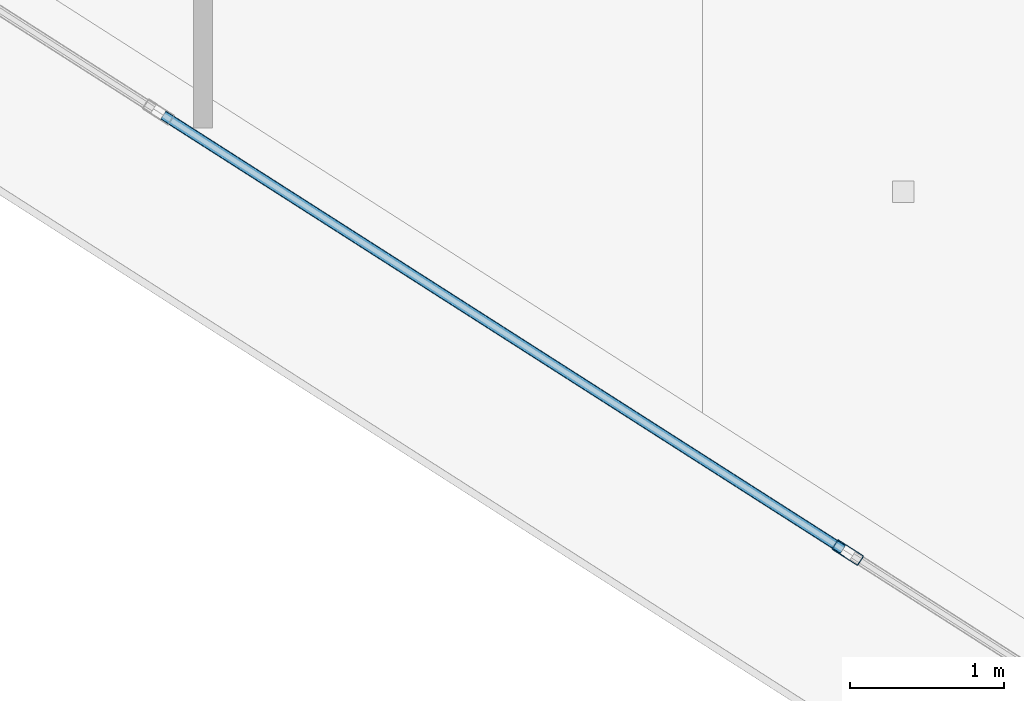
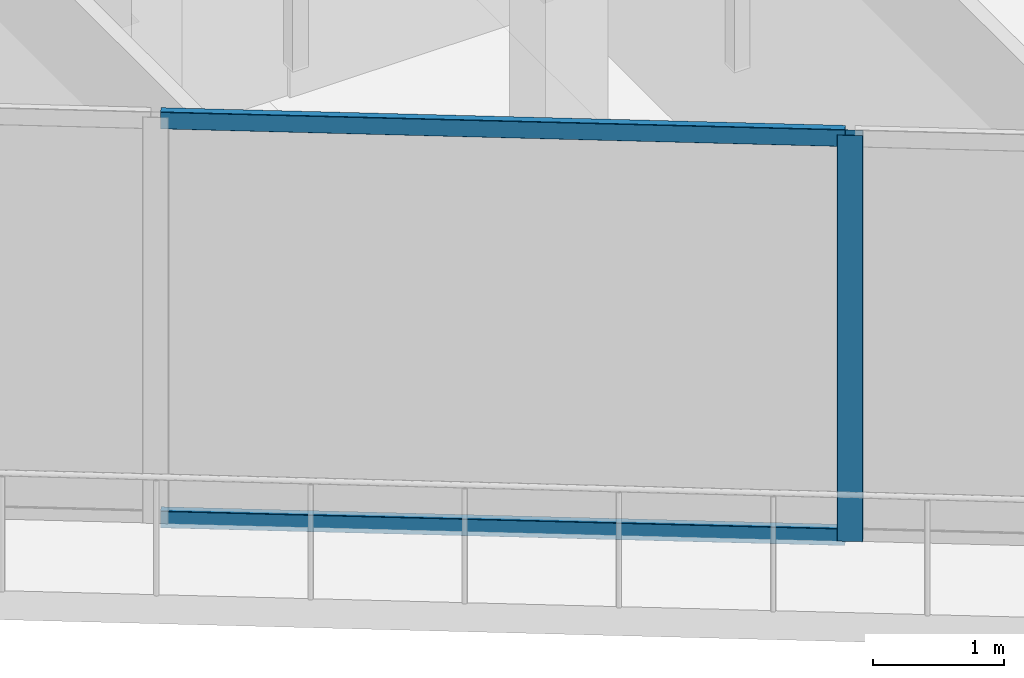
# One storey, part 4 of 36: 3 members, 1 element without a shape of its own.
"""IFC4 building model written with IfcOpenShell, lengths in metres."""

from ifc_helpers import new_model, si_unit, direction, frame, origin, origin_2d, place, context, subcontext, project, spatial, hollow_rectangle, extrude, material, layer, layer_set, material_profile, profile_set, type_object, element, aggregate, save


model = new_model("IFC4")

# Units and contexts
model_context = context("Model", 3, precision=1e-05, world=origin(), true_north=direction((0.0, 1.0)))
body_context = subcontext(model_context, "Body", "Model", "MODEL_VIEW")
ifc_project = project(units=[si_unit("LENGTHUNIT", "METRE"), si_unit("AREAUNIT", "SQUARE_METRE"), si_unit("VOLUMEUNIT", "CUBIC_METRE"), si_unit("PLANEANGLEUNIT", "RADIAN"), si_unit("MASSUNIT", "GRAM", prefix="KILO")], contexts=[model_context])

# Site, building, storey
site_placement = place(None, origin())
site = spatial("IfcSite", under=ifc_project, at=site_placement, CompositionType="ELEMENT")
building_placement = place(site_placement, origin())
building = spatial("IfcBuilding", under=site, at=building_placement, Name="Qorvath Tower", CompositionType="ELEMENT")
storey_placement = place(building_placement, frame((0.0, 0.0, 229.35009765625)))
storey = spatial("IfcBuildingStorey", under=building, at=storey_placement, Name="L53", CompositionType="ELEMENT", Elevation=229.35009765625)

# Curtain wall, members
ifc_material_1 = material(Name="Anodised aluminium and triple low-E glass", Category="aluminium")
ifc_layer = layer(ifc_material_1, 0.179931640625)
ifc_layer_set = layer_set([ifc_layer], Name="CW-SYS-5")
curtain_wall_type = type_object("IfcCurtainWallType", Name="CW-SYS-5", PredefinedType="NOTDEFINED", material=ifc_layer_set)
curtain_wall_placement = place(storey_placement, origin())
curtain_wall = element("IfcCurtainWall", 1, at=curtain_wall_placement, inside=storey, type_object=curtain_wall_type, Name="Curtain Wall CW-5 CW-T-L53-4.1", PredefinedType="NOTDEFINED")
ifc_material_2 = material(Name="Anodised aluminium 6063-T6", Category="aluminium")
ifc_material_profile_1 = material_profile(ifc_material_2, hollow_rectangle(XDim=0.074951171875, YDim=0.199951171875, WallThickness=0.00390625, InnerFilletRadius=0.00390625, OuterFilletRadius=0.008056640625, at=origin_2d()), Name="CWM 200x75")
ifc_profile_set_1 = profile_set([ifc_material_profile_1], Name="Anodised aluminium 6063-T6")
member_type_1 = type_object("IfcMemberType", Name="CWM-200", PredefinedType="MULLION", material=ifc_profile_set_1)
member_1_placement = place(storey_placement, frame((-30.472900390625, -18.2119140625, 0.0), z_axis=(0.0, 0.0, 1.0), x_axis=(0.538529366974, 0.84260674155, 0.0)))
member_1 = element("IfcMember", 2, at=member_1_placement, type_object=member_type_1, Name="CW-5 mullion 5", PredefinedType="MULLION", context=body_context, shape_type="SweptSolid", body=[
    extrude(hollow_rectangle(XDim=0.074951171875, YDim=0.199951171875, WallThickness=0.00390625, InnerFilletRadius=0.00390625, OuterFilletRadius=0.008056640625, at=origin_2d()), origin(), (0.0, 0.0, 1.0), 3.77978515625),
])
ifc_material_3 = material(Name="Anodised aluminium 6063-T6", Category="aluminium")
ifc_material_profile_2 = material_profile(ifc_material_3, hollow_rectangle(XDim=0.06494140625, YDim=0.159912109375, WallThickness=0.00341796875, InnerFilletRadius=0.00341796875, OuterFilletRadius=0.007080078125, at=origin_2d()), Name="CWT 160x65")
ifc_profile_set_2 = profile_set([ifc_material_profile_2], Name="Anodised aluminium 6063-T6")
member_type_2 = type_object("IfcMemberType", Name="CWT-160", PredefinedType="USERDEFINED", material=ifc_profile_set_2)
member_2_placement = place(storey_placement, frame((-34.9072265625, -15.3779296875, 0.032470703125), z_axis=(0.842613218007, -0.538519233491, 0.0), x_axis=(0.538519233491, 0.842613218007, 0.0)))
member_2 = element("IfcMember", 3, at=member_2_placement, type_object=member_type_2, Name="CW-5 transom 4.1", ObjectType="TRANSOM", PredefinedType="USERDEFINED", context=body_context, shape_type="SweptSolid", body=[
    extrude(hollow_rectangle(XDim=0.06494140625, YDim=0.159912109375, WallThickness=0.00341796875, InnerFilletRadius=0.00341796875, OuterFilletRadius=0.007080078125, at=origin_2d()), origin(), (0.0, 0.0, 1.0), 5.224853515625),
])
member_3_placement = place(storey_placement, frame((-34.9072265625, -15.3779296875, 3.747314453125), z_axis=(0.842613218007, -0.538519233491, 0.0), x_axis=(0.538519233491, 0.842613218007, 0.0)))
member_3 = element("IfcMember", 4, at=member_3_placement, type_object=member_type_2, Name="CW-5 transom 4.2", ObjectType="TRANSOM", PredefinedType="USERDEFINED", context=body_context, shape_type="SweptSolid", body=[
    extrude(hollow_rectangle(XDim=0.06494140625, YDim=0.159912109375, WallThickness=0.00341796875, InnerFilletRadius=0.00341796875, OuterFilletRadius=0.007080078125, at=origin_2d()), origin(), (0.0, 0.0, 1.0), 5.224853515625),
])
aggregate(curtain_wall, [member_1, member_2, member_3])

save(model, "model.ifc")
